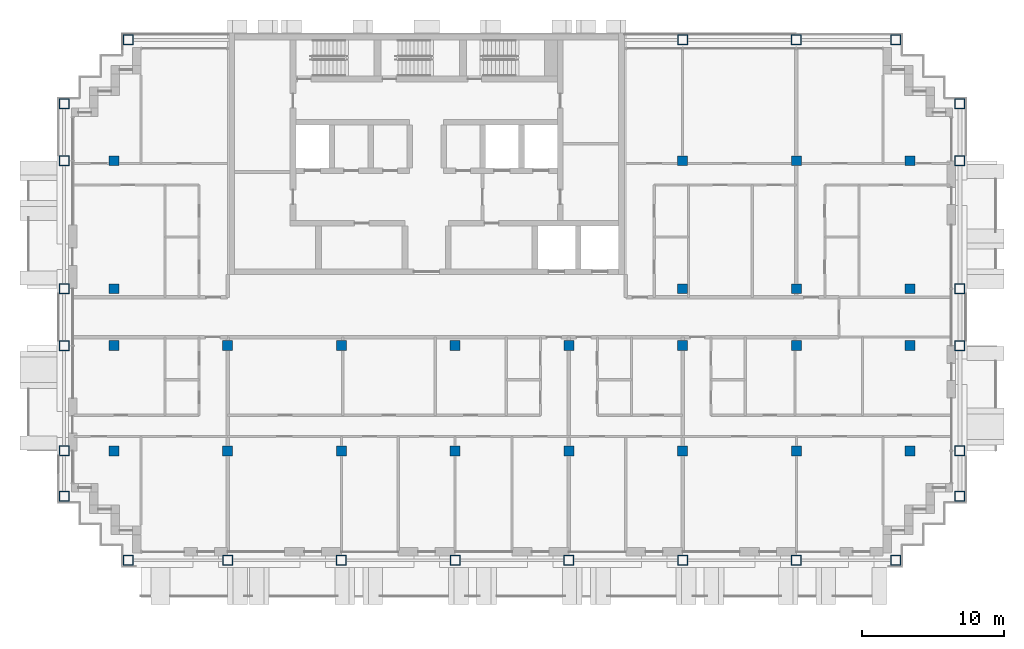
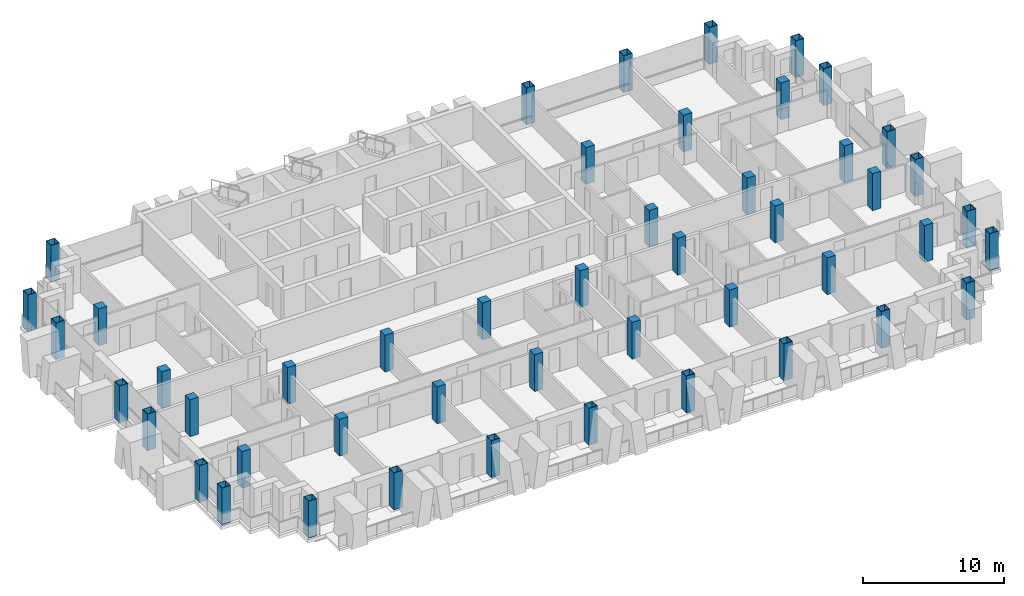
# One storey, part 1 of 16: 48 columns.
"""IFC4 building model written with IfcOpenShell, lengths in metres."""

from ifc_helpers import new_model, si_unit, direction, frame, origin, origin_2d, place, context, subcontext, project, spatial, rectangle, hollow_rectangle, extrude, material, material_profile, profile_set, type_object, element, save


model = new_model("IFC4")

# Units and contexts
model_context = context("Model", 3, precision=1e-05, world=origin(), true_north=direction((0.0, 1.0)))
body_context = subcontext(model_context, "Body", "Model", "MODEL_VIEW")
ifc_project = project(units=[si_unit("LENGTHUNIT", "METRE"), si_unit("AREAUNIT", "SQUARE_METRE"), si_unit("VOLUMEUNIT", "CUBIC_METRE"), si_unit("PLANEANGLEUNIT", "RADIAN"), si_unit("MASSUNIT", "GRAM", prefix="KILO")], contexts=[model_context])

# Site, building, storey
site_placement = place(None, origin())
site = spatial("IfcSite", under=ifc_project, at=site_placement, CompositionType="ELEMENT")
building_placement = place(site_placement, origin())
building = spatial("IfcBuilding", under=site, at=building_placement, Name="Vidyagriha Tower", CompositionType="ELEMENT")
storey_placement = place(building_placement, frame((0.0, 0.0, 187.699951171875)))
storey = spatial("IfcBuildingStorey", under=building, at=storey_placement, Name="L49", CompositionType="ELEMENT", Elevation=187.699951171875)

# Columns
ifc_material_1 = material(Name="Steel ASTM A572 Grade 50", Category="steel")
ifc_material_profile_1 = material_profile(ifc_material_1, hollow_rectangle(XDim=0.699951171875, YDim=0.699951171875, WallThickness=0.035888671875, at=origin_2d()), Name="BOX 700x700x36")
ifc_profile_set_1 = profile_set([ifc_material_profile_1], Name="Steel ASTM A572 Grade 50")
column_type_1 = type_object("IfcColumnType", Name="Exoskeleton column BOX 700x700x36", PredefinedType="COLUMN", material=ifc_profile_set_1)
for number, where, name in (
    (1, (-21.0, -17.10009765625, 0.0), "st-col-L49-B4-001"),
    (2, (-14.0, -17.10009765625, 0.0), "st-col-L49-B4-002"),
    (3, (-6.0, -17.10009765625, 0.0), "st-col-L49-B4-003"),
    (4, (2.0, -17.10009765625, 0.0), "st-col-L49-B4-004"),
    (5, (10.0, -17.10009765625, 0.0), "st-col-L49-B4-005"),
    (6, (18.0, -17.10009765625, 0.0), "st-col-L49-B4-006"),
    (7, (26.0, -17.10009765625, 0.0), "st-col-L49-B4-007"),
    (8, (33.0, -17.10009765625, 0.0), "st-col-L49-B4-008"),
    (9, (-25.5, -12.60009765625, 0.0), "st-col-L49-B4-009"),
    (10, (37.5, -12.60009765625, 0.0), "st-col-L49-B4-010"),
    (11, (-25.5, -9.39990234375, 0.0), "st-col-L49-B4-011"),
    (12, (37.5, -9.39990234375, 0.0), "st-col-L49-B4-020"),
    (13, (-25.5, -2.0, 0.0), "st-col-L49-B4-021"),
    (14, (37.5, -2.0, 0.0), "st-col-L49-B4-030"),
    (15, (-25.5, 2.0, 0.0), "st-col-L49-B4-031"),
    (16, (37.5, 2.0, 0.0), "st-col-L49-B4-036"),
    (17, (-25.5, 11.0, 0.0), "st-col-L49-B4-037"),
    (18, (37.5, 11.0, 0.0), "st-col-L49-B4-042"),
    (19, (-25.5, 15.0, 0.0), "st-col-L49-B4-043"),
    (20, (37.5, 15.0, 0.0), "st-col-L49-B4-044"),
    (21, (-21.0, 19.5, 0.0), "st-col-L49-B4-045"),
    (22, (18.0, 19.5, 0.0), "st-col-L49-B4-046"),
    (23, (26.0, 19.5, 0.0), "st-col-L49-B4-047"),
    (24, (33.0, 19.5, 0.0), "st-col-L49-B4-048"),
):
    element("IfcColumn", number, at=place(storey_placement, frame(where)), inside=storey, type_object=column_type_1, Name=name, PredefinedType="COLUMN", context=body_context, shape_type="SweptSolid", body=[
        extrude(hollow_rectangle(XDim=0.699951171875, YDim=0.699951171875, WallThickness=0.035888671875, at=origin_2d()), origin(), (0.0, 0.0, 1.0), 3.199951171875),
    ])
ifc_material_2 = material(Name="Concrete C60/75", Category="concrete")
ifc_material_profile_2 = material_profile(ifc_material_2, rectangle(XDim=0.699951171875, YDim=0.699951171875, at=origin_2d()), Name="RC 700x700")
ifc_profile_set_2 = profile_set([ifc_material_profile_2], Name="Concrete C60/75")
column_type_2 = type_object("IfcColumnType", Name="Frame column RC 700x700", PredefinedType="COLUMN", material=ifc_profile_set_2)
for number, where, name in (
    (25, (-22.0, -9.39990234375, 0.0), "st-col-L49-B4-012"),
    (26, (-14.0, -9.39990234375, 0.0), "st-col-L49-B4-013"),
    (27, (-6.0, -9.39990234375, 0.0), "st-col-L49-B4-014"),
    (28, (2.0, -9.39990234375, 0.0), "st-col-L49-B4-015"),
    (29, (10.0, -9.39990234375, 0.0), "st-col-L49-B4-016"),
    (30, (18.0, -9.39990234375, 0.0), "st-col-L49-B4-017"),
    (31, (26.0, -9.39990234375, 0.0), "st-col-L49-B4-018"),
    (32, (34.0, -9.39990234375, 0.0), "st-col-L49-B4-019"),
    (33, (-22.0, -2.0, 0.0), "st-col-L49-B4-022"),
    (34, (-14.0, -2.0, 0.0), "st-col-L49-B4-023"),
    (35, (-6.0, -2.0, 0.0), "st-col-L49-B4-024"),
    (36, (2.0, -2.0, 0.0), "st-col-L49-B4-025"),
    (37, (10.0, -2.0, 0.0), "st-col-L49-B4-026"),
    (38, (18.0, -2.0, 0.0), "st-col-L49-B4-027"),
    (39, (26.0, -2.0, 0.0), "st-col-L49-B4-028"),
    (40, (34.0, -2.0, 0.0), "st-col-L49-B4-029"),
    (41, (-22.0, 2.0, 0.0), "st-col-L49-B4-032"),
    (42, (18.0, 2.0, 0.0), "st-col-L49-B4-033"),
    (43, (26.0, 2.0, 0.0), "st-col-L49-B4-034"),
    (44, (34.0, 2.0, 0.0), "st-col-L49-B4-035"),
    (45, (-22.0, 11.0, 0.0), "st-col-L49-B4-038"),
    (46, (18.0, 11.0, 0.0), "st-col-L49-B4-039"),
    (47, (26.0, 11.0, 0.0), "st-col-L49-B4-040"),
    (48, (34.0, 11.0, 0.0), "st-col-L49-B4-041"),
):
    element("IfcColumn", number, at=place(storey_placement, frame(where)), inside=storey, type_object=column_type_2, Name=name, PredefinedType="COLUMN", context=body_context, shape_type="SweptSolid", body=[
        extrude(rectangle(XDim=0.699951171875, YDim=0.699951171875, at=origin_2d()), origin(), (0.0, 0.0, 1.0), 3.199951171875),
    ])

save(model, "model.ifc")
